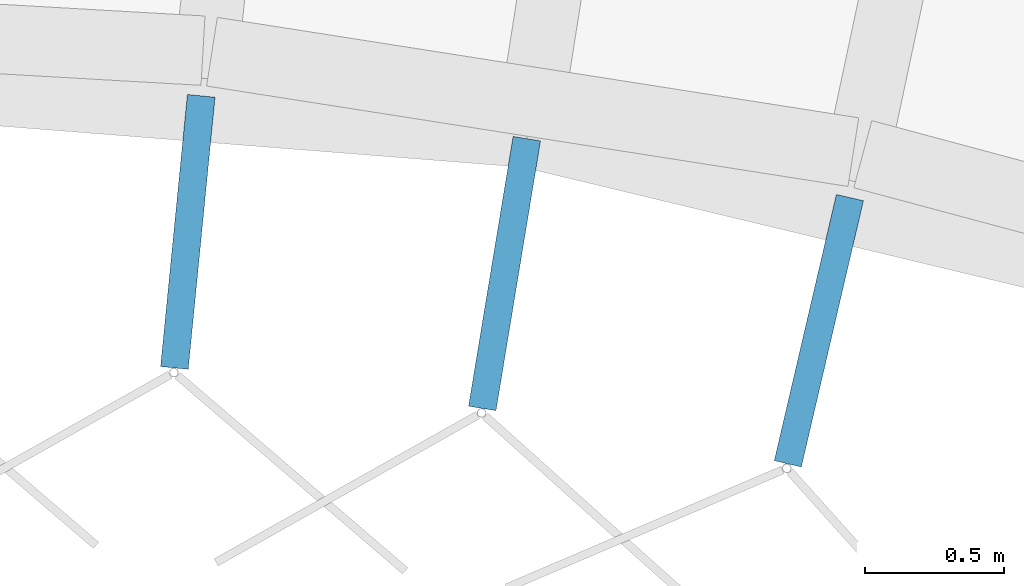
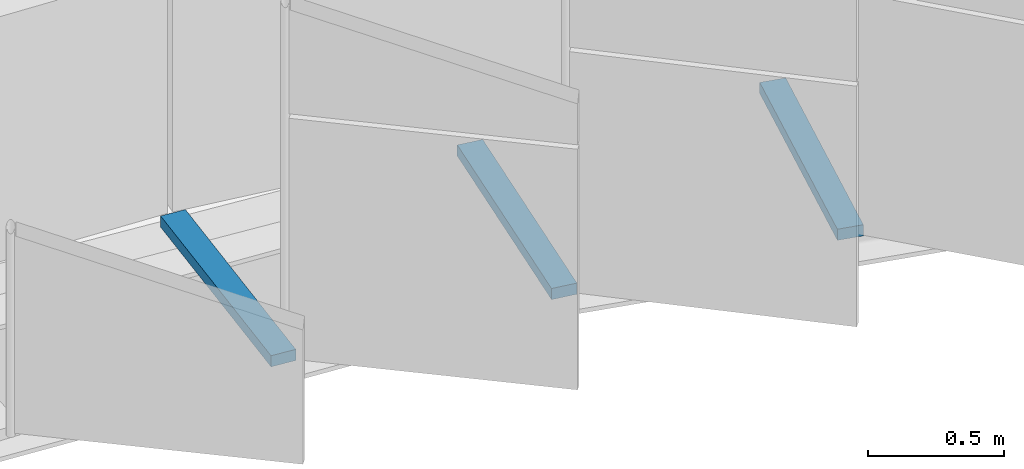
# One storey, part 111 of 198: 3 discrete accessories.
"""IFC4 building model written with IfcOpenShell, lengths in metres."""

import ifcopenshell
import ifcopenshell.guid

model = None  # the IFC model being written
_history = None  # IfcOwnerHistory: only IFC2X3 demands one
_inside = {}  # id of a spatial element -> (the spatial element, [elements in it])
_under = {}  # id of a project, library or spatial element -> (it, [spatial elements below it])
_declared = {}  # id of a project -> (the project, [libraries it declares])
_typed = {}  # id of a type object -> (the type object, [elements of that type])
_made_of = {}  # id of a material, layer set ... -> (it, [elements and type objects made of it])


def new_model(schema):
    """Start an empty IFC model of exactly this schema.

    Asked for "IFC4X3", IfcOpenShell would pick the latest addendum, in which some entities
    have other attributes; the version numbers below select the first issue.
    IFC2X3 requires an IfcOwnerHistory on every rooted entity: one is made here for all.
    """
    global model, _history
    if schema == "IFC4X3":
        model = ifcopenshell.file(schema_version=(4, 3, 0, 0))
    else:
        model = ifcopenshell.file(schema=schema)
    _inside.clear()
    _under.clear()
    _declared.clear()
    _typed.clear()
    _made_of.clear()
    _history = None
    if model.schema == "IFC2X3":
        org = make("IfcOrganization", Name="unknown")
        user = make(
            "IfcPersonAndOrganization",
            ThePerson=make("IfcPerson", FamilyName="unknown"),
            TheOrganization=org,
        )
        app = make(
            "IfcApplication",
            ApplicationDeveloper=org,
            Version="unknown",
            ApplicationFullName="unknown",
            ApplicationIdentifier="unknown",
        )
        _history = make(
            "IfcOwnerHistory",
            OwningUser=user,
            OwningApplication=app,
            ChangeAction="ADDED",
            CreationDate=0,
        )
    return model


def make(cls, **values):
    """One entity of the class cls with the attributes given. An attribute that is None is left unset."""
    return model.create_entity(
        cls, **{name: value for name, value in values.items() if value is not None}
    )


def rooted(cls, **values):
    """An entity with a GlobalId (a new one), such as an element, a storey or a relation."""
    return make(cls, GlobalId=ifcopenshell.guid.new(), OwnerHistory=_history, **values)


def si_unit(unit_type, name, prefix=None):
    """IfcSIUnit, for example si_unit("LENGTHUNIT", "METRE", prefix="MILLI")."""
    return make("IfcSIUnit", UnitType=unit_type, Prefix=prefix, Name=name)


def assignment(units):
    """IfcUnitAssignment: the units of a project."""
    return None if units is None else make("IfcUnitAssignment", Units=units)


def point(xyz):
    """IfcCartesianPoint."""
    return None if xyz is None else make("IfcCartesianPoint", Coordinates=xyz)


def direction(xyz):
    """IfcDirection."""
    return None if xyz is None else make("IfcDirection", DirectionRatios=xyz)


def frame(location, z_axis=None, x_axis=None):
    """IfcAxis2Placement3D, a coordinate frame: its origin and axes. An axis left out is left unset."""
    return make(
        "IfcAxis2Placement3D",
        Location=point(location),
        Axis=direction(z_axis),
        RefDirection=direction(x_axis),
    )


def frame_2d(location, x_axis=None):
    """IfcAxis2Placement2D, a coordinate frame in the plane: its origin and x axis."""
    return make(
        "IfcAxis2Placement2D", Location=point(location), RefDirection=direction(x_axis)
    )


def origin():
    """The frame at (0, 0, 0) with its axes left unset."""
    return frame((0.0, 0.0, 0.0))


def origin_2d():
    """The frame at (0, 0) in the plane with its x axis left unset."""
    return frame_2d((0.0, 0.0))


def place(relative_to, where):
    """IfcLocalPlacement: puts the frame where relative to a parent placement (None: the world)."""
    return make(
        "IfcLocalPlacement", PlacementRelTo=relative_to, RelativePlacement=where
    )


def context(
    kind, dimensions, precision=None, world=None, true_north=None, identifier=None
):
    """IfcGeometricRepresentationContext, for example the 3D "Model" context."""
    return make(
        "IfcGeometricRepresentationContext",
        ContextIdentifier=identifier,
        ContextType=kind,
        CoordinateSpaceDimension=dimensions,
        Precision=precision,
        WorldCoordinateSystem=world,
        TrueNorth=true_north,
    )


def subcontext(parent, identifier, kind, view, scale=None):
    """IfcGeometricRepresentationSubContext, for example "Body" below "Model"."""
    return make(
        "IfcGeometricRepresentationSubContext",
        ContextIdentifier=identifier,
        ContextType=kind,
        ParentContext=parent,
        TargetScale=scale,
        TargetView=view,
    )


def project(units=None, contexts=None):
    """IfcProject with its units and contexts."""
    return rooted(
        "IfcProject",
        Name="project",
        RepresentationContexts=contexts,
        UnitsInContext=assignment(units),
    )


def spatial(cls, under=None, at=None, **own):
    """A site, building, storey or space (cls), placed at a placement, below another one or the project."""
    s = rooted(cls, ObjectPlacement=at, **own)
    if under is not None:
        _under.setdefault(under.id(), (under, []))[1].append(s)
    return s


def profile(cls, at=None, kind="AREA", **sizes):
    """A parametric profile (cls). Its sizes go by their IFC names, for example OverallWidth=200.0."""
    return make(cls, ProfileType=kind, Position=at, **sizes)


def rectangle(**sizes):
    """IfcRectangleProfileDef."""
    return profile("IfcRectangleProfileDef", **sizes)


def extrude(swept, where, along, depth):
    """IfcExtrudedAreaSolid: the profile swept, set in the frame where, extruded along a direction by depth."""
    return make(
        "IfcExtrudedAreaSolid",
        SweptArea=swept,
        Position=where,
        ExtrudedDirection=direction(along),
        Depth=depth,
    )


def shape(context_of_items, identifier, shape_type, items):
    """IfcShapeRepresentation: the items that make up one representation, for example the "Body"."""
    return make(
        "IfcShapeRepresentation",
        ContextOfItems=context_of_items,
        RepresentationIdentifier=identifier,
        RepresentationType=shape_type,
        Items=items,
    )


def material(Name=None, Category=None):
    """IfcMaterial."""
    return make("IfcMaterial", Name=Name, Category=Category)


def made_of(thing, what):
    """Note that an element or type object is made of a material, layer set ...; save() writes the relation."""
    if what is not None:
        _made_of.setdefault(what.id(), (what, []))[1].append(thing)
    return thing


def type_object(cls, material=None, **own):
    """A type object (cls), such as IfcWallType, which elements share."""
    return made_of(rooted(cls, **own), material)


def element(
    cls,
    number,
    at=None,
    inside=None,
    cuts=None,
    type_object=None,
    material=None,
    context=None,
    identifier="Body",
    shape_type=None,
    held_by="IfcProductDefinitionShape",
    body=None,
    shapes=None,
    **own,
):
    """One element of the class cls, such as IfcWall. Its Tag is "e" and its number.

    at: its placement. inside: the storey or other place that contains it. cuts: it is an
    opening in that element (IfcRelVoidsElement). A single representation is given by context,
    identifier, shape_type and body (its items); several are given by shapes. held_by: the class
    of the entity that holds the representations. save() writes the other relations.
    """
    e = rooted(cls, Tag="e%d" % number, ObjectPlacement=at, **own)
    if body is not None:
        shapes = [shape(context, identifier, shape_type, body)]
    if shapes is not None:
        e.Representation = make(held_by, Representations=shapes)
    if inside is not None:
        _inside.setdefault(inside.id(), (inside, []))[1].append(e)
    if cuts is not None:
        rooted(
            "IfcRelVoidsElement", RelatingBuildingElement=cuts, RelatedOpeningElement=e
        )
    if type_object is not None:
        _typed.setdefault(type_object.id(), (type_object, []))[1].append(e)
    return made_of(e, material)


def aggregate(whole, parts):
    """IfcRelAggregates: a whole, such as a stair, and the parts it consists of."""
    return rooted("IfcRelAggregates", RelatingObject=whole, RelatedObjects=parts)


def save(model, path):
    """Write the relations noted so far, then the file.

    IfcRelAggregates (storeys below a building ...), IfcRelContainedInSpatialStructure (elements
    in a storey), IfcRelDefinesByType, IfcRelAssociatesMaterial and IfcRelDeclares: one each for
    every whole, place, type object, material and project.
    """
    for whole, parts in _under.values():
        aggregate(whole, parts)
    for where, things in _inside.values():
        rooted(
            "IfcRelContainedInSpatialStructure",
            RelatedElements=things,
            RelatingStructure=where,
        )
    for kind, things in _typed.values():
        rooted("IfcRelDefinesByType", RelatedObjects=things, RelatingType=kind)
    for what, things in _made_of.values():
        rooted("IfcRelAssociatesMaterial", RelatedObjects=things, RelatingMaterial=what)
    for by, libraries in _declared.values():
        rooted("IfcRelDeclares", RelatingContext=by, RelatedDefinitions=libraries)
    model.write(path)


model = new_model("IFC4")

# Units and contexts
model_context = context("Model", 3, precision=1e-05, world=origin(), true_north=direction((0.0, 1.0)))
body_context = subcontext(model_context, "Body", "Model", "MODEL_VIEW")
ifc_project = project(units=[si_unit("LENGTHUNIT", "METRE"), si_unit("AREAUNIT", "SQUARE_METRE"), si_unit("VOLUMEUNIT", "CUBIC_METRE"), si_unit("PLANEANGLEUNIT", "RADIAN"), si_unit("MASSUNIT", "GRAM", prefix="KILO")], contexts=[model_context])

# Site, building, storey
site_placement = place(None, origin())
site = spatial("IfcSite", under=ifc_project, at=site_placement, CompositionType="ELEMENT")
building_placement = place(site_placement, origin())
building = spatial("IfcBuilding", under=site, at=building_placement, Name="Parallax Yard Mobility Hub", CompositionType="ELEMENT")
storey_placement = place(building_placement, frame((0.0, 0.0, 6.60009765625)))
storey = spatial("IfcBuildingStorey", under=building, at=storey_placement, Name="L02", CompositionType="ELEMENT", Elevation=6.60009765625)

# Discrete accessories
ifc_material = material(Name="Steel ASTM A36, hot-dip galvanised", Category="steel")
discrete_accessory_type = type_object("IfcDiscreteAccessoryType", Name="Hinge bracket plate 100x50", PredefinedType="BRACKET", material=ifc_material)
for number, where, z_axis, x_axis, name in (
    (1, (174.797119140625, 111.876708984375, -0.02490234375), (0.0, 0.0, 1.0), (-0.09801714033, -0.995184726672, 0.0), "Hinge bracket plate bay 18.3 level L02"),
    (2, (175.937255859375, 111.726806640625, -0.02490234375), (0.0, 0.0, 1.0), (-0.162895473395, -0.986643332085, 0.0), "Hinge bracket plate bay 18.4 level L02"),
    (3, (177.068603515625, 111.52099609375, -0.02490234375), (0.0, 0.0, 1.0), (-0.227076263034, -0.973876979277, 0.0), "Hinge bracket plate bay 18.5 level L02"),
):
    element("IfcDiscreteAccessory", number, at=place(storey_placement, frame(where, z_axis=z_axis, x_axis=x_axis)), inside=storey, type_object=discrete_accessory_type, Name=name, PredefinedType="BRACKET", context=body_context, shape_type="SweptSolid", body=[
        extrude(rectangle(XDim=0.984130859375, YDim=0.10009765625, at=origin_2d()), origin(), (0.0, 0.0, 1.0), 0.050048828125),
    ])

save(model, "model.ifc")
